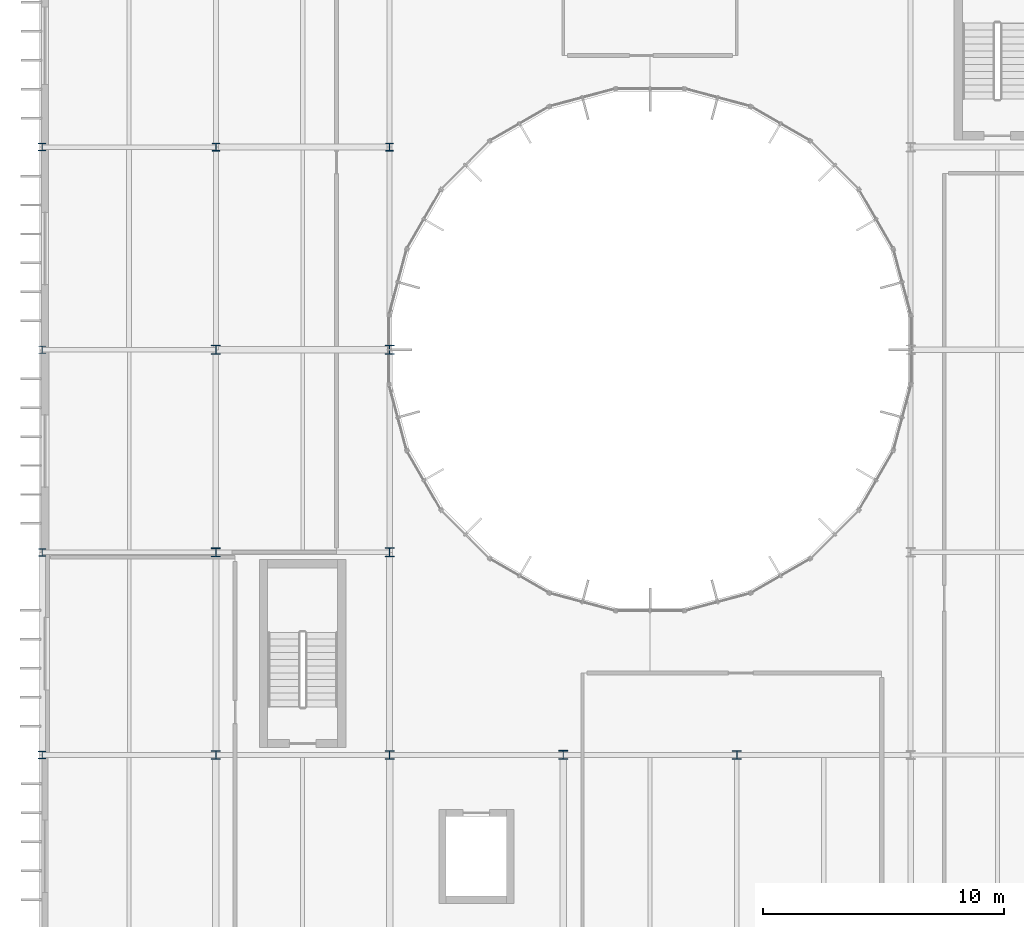
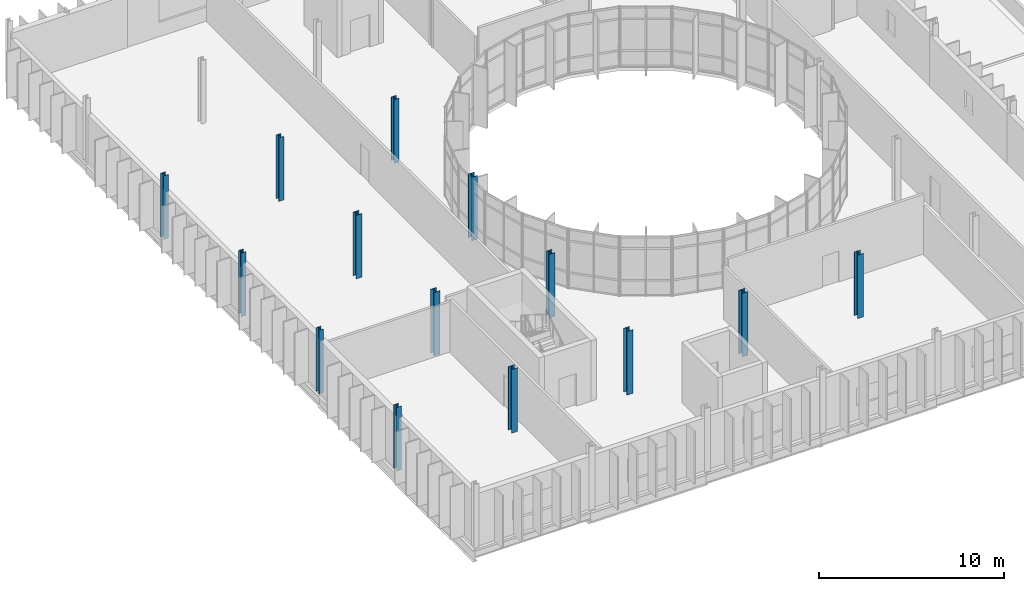
# One storey, part 6 of 99: 14 columns.
"""IFC4 building model written with IfcOpenShell, lengths in metres."""

import ifcopenshell
import ifcopenshell.guid

model = None  # the IFC model being written
_history = None  # IfcOwnerHistory: only IFC2X3 demands one
_inside = {}  # id of a spatial element -> (the spatial element, [elements in it])
_under = {}  # id of a project, library or spatial element -> (it, [spatial elements below it])
_declared = {}  # id of a project -> (the project, [libraries it declares])
_typed = {}  # id of a type object -> (the type object, [elements of that type])
_made_of = {}  # id of a material, layer set ... -> (it, [elements and type objects made of it])


def new_model(schema):
    """Start an empty IFC model of exactly this schema.

    Asked for "IFC4X3", IfcOpenShell would pick the latest addendum, in which some entities
    have other attributes; the version numbers below select the first issue.
    IFC2X3 requires an IfcOwnerHistory on every rooted entity: one is made here for all.
    """
    global model, _history
    if schema == "IFC4X3":
        model = ifcopenshell.file(schema_version=(4, 3, 0, 0))
    else:
        model = ifcopenshell.file(schema=schema)
    _inside.clear()
    _under.clear()
    _declared.clear()
    _typed.clear()
    _made_of.clear()
    _history = None
    if model.schema == "IFC2X3":
        org = make("IfcOrganization", Name="unknown")
        user = make(
            "IfcPersonAndOrganization",
            ThePerson=make("IfcPerson", FamilyName="unknown"),
            TheOrganization=org,
        )
        app = make(
            "IfcApplication",
            ApplicationDeveloper=org,
            Version="unknown",
            ApplicationFullName="unknown",
            ApplicationIdentifier="unknown",
        )
        _history = make(
            "IfcOwnerHistory",
            OwningUser=user,
            OwningApplication=app,
            ChangeAction="ADDED",
            CreationDate=0,
        )
    return model


def make(cls, **values):
    """One entity of the class cls with the attributes given. An attribute that is None is left unset."""
    return model.create_entity(
        cls, **{name: value for name, value in values.items() if value is not None}
    )


def rooted(cls, **values):
    """An entity with a GlobalId (a new one), such as an element, a storey or a relation."""
    return make(cls, GlobalId=ifcopenshell.guid.new(), OwnerHistory=_history, **values)


def si_unit(unit_type, name, prefix=None):
    """IfcSIUnit, for example si_unit("LENGTHUNIT", "METRE", prefix="MILLI")."""
    return make("IfcSIUnit", UnitType=unit_type, Prefix=prefix, Name=name)


def assignment(units):
    """IfcUnitAssignment: the units of a project."""
    return None if units is None else make("IfcUnitAssignment", Units=units)


def point(xyz):
    """IfcCartesianPoint."""
    return None if xyz is None else make("IfcCartesianPoint", Coordinates=xyz)


def direction(xyz):
    """IfcDirection."""
    return None if xyz is None else make("IfcDirection", DirectionRatios=xyz)


def frame(location, z_axis=None, x_axis=None):
    """IfcAxis2Placement3D, a coordinate frame: its origin and axes. An axis left out is left unset."""
    return make(
        "IfcAxis2Placement3D",
        Location=point(location),
        Axis=direction(z_axis),
        RefDirection=direction(x_axis),
    )


def frame_2d(location, x_axis=None):
    """IfcAxis2Placement2D, a coordinate frame in the plane: its origin and x axis."""
    return make(
        "IfcAxis2Placement2D", Location=point(location), RefDirection=direction(x_axis)
    )


def origin():
    """The frame at (0, 0, 0) with its axes left unset."""
    return frame((0.0, 0.0, 0.0))


def origin_2d():
    """The frame at (0, 0) in the plane with its x axis left unset."""
    return frame_2d((0.0, 0.0))


def place(relative_to, where):
    """IfcLocalPlacement: puts the frame where relative to a parent placement (None: the world)."""
    return make(
        "IfcLocalPlacement", PlacementRelTo=relative_to, RelativePlacement=where
    )


def context(
    kind, dimensions, precision=None, world=None, true_north=None, identifier=None
):
    """IfcGeometricRepresentationContext, for example the 3D "Model" context."""
    return make(
        "IfcGeometricRepresentationContext",
        ContextIdentifier=identifier,
        ContextType=kind,
        CoordinateSpaceDimension=dimensions,
        Precision=precision,
        WorldCoordinateSystem=world,
        TrueNorth=true_north,
    )


def subcontext(parent, identifier, kind, view, scale=None):
    """IfcGeometricRepresentationSubContext, for example "Body" below "Model"."""
    return make(
        "IfcGeometricRepresentationSubContext",
        ContextIdentifier=identifier,
        ContextType=kind,
        ParentContext=parent,
        TargetScale=scale,
        TargetView=view,
    )


def project(units=None, contexts=None):
    """IfcProject with its units and contexts."""
    return rooted(
        "IfcProject",
        Name="project",
        RepresentationContexts=contexts,
        UnitsInContext=assignment(units),
    )


def spatial(cls, under=None, at=None, **own):
    """A site, building, storey or space (cls), placed at a placement, below another one or the project."""
    s = rooted(cls, ObjectPlacement=at, **own)
    if under is not None:
        _under.setdefault(under.id(), (under, []))[1].append(s)
    return s


def profile(cls, at=None, kind="AREA", **sizes):
    """A parametric profile (cls). Its sizes go by their IFC names, for example OverallWidth=200.0."""
    return make(cls, ProfileType=kind, Position=at, **sizes)


def i_section(**sizes):
    """IfcIShapeProfileDef."""
    return profile("IfcIShapeProfileDef", **sizes)


def extrude(swept, where, along, depth):
    """IfcExtrudedAreaSolid: the profile swept, set in the frame where, extruded along a direction by depth."""
    return make(
        "IfcExtrudedAreaSolid",
        SweptArea=swept,
        Position=where,
        ExtrudedDirection=direction(along),
        Depth=depth,
    )


def shape(context_of_items, identifier, shape_type, items):
    """IfcShapeRepresentation: the items that make up one representation, for example the "Body"."""
    return make(
        "IfcShapeRepresentation",
        ContextOfItems=context_of_items,
        RepresentationIdentifier=identifier,
        RepresentationType=shape_type,
        Items=items,
    )


def material(Name=None, Category=None):
    """IfcMaterial."""
    return make("IfcMaterial", Name=Name, Category=Category)


def material_profile(
    of_material, cross_section, Name=None, Category=None, Priority=None
):
    """IfcMaterialProfile: a cross section and its material."""
    return make(
        "IfcMaterialProfile",
        Name=Name,
        Material=of_material,
        Profile=cross_section,
        Priority=Priority,
        Category=Category,
    )


def profile_set(profiles, Name=None, composite=None):
    """IfcMaterialProfileSet."""
    return make(
        "IfcMaterialProfileSet",
        Name=Name,
        MaterialProfiles=profiles,
        CompositeProfile=composite,
    )


def made_of(thing, what):
    """Note that an element or type object is made of a material, layer set ...; save() writes the relation."""
    if what is not None:
        _made_of.setdefault(what.id(), (what, []))[1].append(thing)
    return thing


def type_object(cls, material=None, **own):
    """A type object (cls), such as IfcWallType, which elements share."""
    return made_of(rooted(cls, **own), material)


def element(
    cls,
    number,
    at=None,
    inside=None,
    cuts=None,
    type_object=None,
    material=None,
    context=None,
    identifier="Body",
    shape_type=None,
    held_by="IfcProductDefinitionShape",
    body=None,
    shapes=None,
    **own,
):
    """One element of the class cls, such as IfcWall. Its Tag is "e" and its number.

    at: its placement. inside: the storey or other place that contains it. cuts: it is an
    opening in that element (IfcRelVoidsElement). A single representation is given by context,
    identifier, shape_type and body (its items); several are given by shapes. held_by: the class
    of the entity that holds the representations. save() writes the other relations.
    """
    e = rooted(cls, Tag="e%d" % number, ObjectPlacement=at, **own)
    if body is not None:
        shapes = [shape(context, identifier, shape_type, body)]
    if shapes is not None:
        e.Representation = make(held_by, Representations=shapes)
    if inside is not None:
        _inside.setdefault(inside.id(), (inside, []))[1].append(e)
    if cuts is not None:
        rooted(
            "IfcRelVoidsElement", RelatingBuildingElement=cuts, RelatedOpeningElement=e
        )
    if type_object is not None:
        _typed.setdefault(type_object.id(), (type_object, []))[1].append(e)
    return made_of(e, material)


def aggregate(whole, parts):
    """IfcRelAggregates: a whole, such as a stair, and the parts it consists of."""
    return rooted("IfcRelAggregates", RelatingObject=whole, RelatedObjects=parts)


def save(model, path):
    """Write the relations noted so far, then the file.

    IfcRelAggregates (storeys below a building ...), IfcRelContainedInSpatialStructure (elements
    in a storey), IfcRelDefinesByType, IfcRelAssociatesMaterial and IfcRelDeclares: one each for
    every whole, place, type object, material and project.
    """
    for whole, parts in _under.values():
        aggregate(whole, parts)
    for where, things in _inside.values():
        rooted(
            "IfcRelContainedInSpatialStructure",
            RelatedElements=things,
            RelatingStructure=where,
        )
    for kind, things in _typed.values():
        rooted("IfcRelDefinesByType", RelatedObjects=things, RelatingType=kind)
    for what, things in _made_of.values():
        rooted("IfcRelAssociatesMaterial", RelatedObjects=things, RelatingMaterial=what)
    for by, libraries in _declared.values():
        rooted("IfcRelDeclares", RelatingContext=by, RelatedDefinitions=libraries)
    model.write(path)


model = new_model("IFC4")

# Units and contexts
model_context = context("Model", 3, precision=1e-05, world=origin(), true_north=direction((0.0, 1.0)))
body_context = subcontext(model_context, "Body", "Model", "MODEL_VIEW")
ifc_project = project(units=[si_unit("LENGTHUNIT", "METRE"), si_unit("AREAUNIT", "SQUARE_METRE"), si_unit("VOLUMEUNIT", "CUBIC_METRE"), si_unit("PLANEANGLEUNIT", "RADIAN"), si_unit("MASSUNIT", "GRAM", prefix="KILO")], contexts=[model_context])

# Site, building, storey
site_placement = place(None, origin())
site = spatial("IfcSite", under=ifc_project, at=site_placement, CompositionType="ELEMENT")
building_placement = place(site_placement, origin())
building = spatial("IfcBuilding", under=site, at=building_placement, Name="Qelthora Terrace Specialist Clinic", CompositionType="ELEMENT")
storey_placement = place(building_placement, frame((0.0, 0.0, 9.0)))
storey = spatial("IfcBuildingStorey", under=building, at=storey_placement, Name="L02", CompositionType="ELEMENT", Elevation=9.0)

# Columns
ifc_material = material(Name="Steel S355", Category="steel")
ifc_material_profile_1 = material_profile(ifc_material, i_section(OverallWidth=0.305908203125, OverallDepth=0.31103515625, WebThickness=0.010986328125, FlangeThickness=0.01708984375, FilletRadius=0.014892578125, at=origin_2d()), Name="W310X107")
ifc_profile_set_1 = profile_set([ifc_material_profile_1], Name="Steel S355")
column_type_1 = type_object("IfcColumnType", Name="COL-W310X107", PredefinedType="COLUMN", material=ifc_profile_set_1)
column_1_placement = place(storey_placement, frame((0.0, 75.60009765625, 0.0), z_axis=(0.0, 0.0, 1.0), x_axis=(1.0, 0.0, 0.0)))
element("IfcColumn", 1, at=column_1_placement, inside=storey, type_object=column_type_1, Name="Column L02-010", PredefinedType="COLUMN", context=body_context, shape_type="SweptSolid", body=[
    extrude(i_section(OverallWidth=0.305908203125, OverallDepth=0.31103515625, WebThickness=0.010986328125, FlangeThickness=0.01708984375, FilletRadius=0.014892578125, at=origin_2d()), origin(), (0.0, 0.0, 1.0), 4.199951171875),
])
ifc_material_profile_2 = material_profile(ifc_material, i_section(OverallWidth=0.306884765625, OverallDepth=0.31396484375, WebThickness=0.011962890625, FlangeThickness=0.018798828125, FilletRadius=0.01611328125, at=origin_2d()), Name="W310X118")
ifc_profile_set_2 = profile_set([ifc_material_profile_2], Name="Steel S355")
column_type_2 = type_object("IfcColumnType", Name="COL-W310X118", PredefinedType="COLUMN", material=ifc_profile_set_2)
for number, where, z_axis, x_axis, name in (
    (2, (0.0, 67.199951171875, 0.0), (0.0, 0.0, 1.0), (1.0, 0.0, 0.0), "Column L02-009"),
    (3, (0.0, 92.39990234375, 0.0), (0.0, 0.0, 1.0), (1.0, 0.0, 0.0), "Column L02-012"),
):
    element("IfcColumn", number, at=place(storey_placement, frame(where, z_axis=z_axis, x_axis=x_axis)), inside=storey, type_object=column_type_2, Name=name, PredefinedType="COLUMN", context=body_context, shape_type="SweptSolid", body=[
        extrude(i_section(OverallWidth=0.306884765625, OverallDepth=0.31396484375, WebThickness=0.011962890625, FlangeThickness=0.018798828125, FilletRadius=0.01611328125, at=origin_2d()), origin(), (0.0, 0.0, 1.0), 4.199951171875),
    ])
ifc_material_profile_3 = material_profile(ifc_material, i_section(OverallWidth=0.30908203125, OverallDepth=0.322998046875, WebThickness=0.013916015625, FlangeThickness=0.02294921875, FilletRadius=0.01611328125, at=origin_2d()), Name="W310X143")
ifc_profile_set_3 = profile_set([ifc_material_profile_3], Name="Steel S355")
column_type_3 = type_object("IfcColumnType", Name="COL-W310X143", PredefinedType="COLUMN", material=ifc_profile_set_3)
for number, where, z_axis, x_axis, name in (
    (4, (7.199951171875, 92.39990234375, 0.0), (0.0, 0.0, 1.0), (1.0, 0.0, 0.0), "Column L02-026"),
    (5, (14.39990234375, 92.39990234375, 0.0), (0.0, 0.0, 1.0), (1.0, 0.0, 0.0), "Column L02-040"),
):
    element("IfcColumn", number, at=place(storey_placement, frame(where, z_axis=z_axis, x_axis=x_axis)), inside=storey, type_object=column_type_3, Name=name, PredefinedType="COLUMN", context=body_context, shape_type="SweptSolid", body=[
        extrude(i_section(OverallWidth=0.30908203125, OverallDepth=0.322998046875, WebThickness=0.013916015625, FlangeThickness=0.02294921875, FilletRadius=0.01611328125, at=origin_2d()), origin(), (0.0, 0.0, 1.0), 4.199951171875),
    ])
ifc_material_profile_4 = material_profile(ifc_material, i_section(OverallWidth=0.304931640625, OverallDepth=0.30810546875, WebThickness=0.010009765625, FlangeThickness=0.015380859375, FilletRadius=0.014892578125, at=origin_2d()), Name="W310X97")
ifc_profile_set_4 = profile_set([ifc_material_profile_4], Name="Steel S355")
column_type_4 = type_object("IfcColumnType", Name="COL-W310X97", PredefinedType="COLUMN", material=ifc_profile_set_4)
column_2_placement = place(storey_placement, frame((0.0, 84.0, 0.0), z_axis=(0.0, 0.0, 1.0), x_axis=(1.0, 0.0, 0.0)))
element("IfcColumn", 6, at=column_2_placement, inside=storey, type_object=column_type_4, Name="Column L02-011", PredefinedType="COLUMN", context=body_context, shape_type="SweptSolid", body=[
    extrude(i_section(OverallWidth=0.304931640625, OverallDepth=0.30810546875, WebThickness=0.010009765625, FlangeThickness=0.015380859375, FilletRadius=0.014892578125, at=origin_2d()), origin(), (0.0, 0.0, 1.0), 4.199951171875),
])
ifc_material_profile_5 = material_profile(ifc_material, i_section(OverallWidth=0.37109375, OverallDepth=0.364013671875, WebThickness=0.01318359375, FlangeThickness=0.021728515625, FilletRadius=0.02001953125, at=origin_2d()), Name="W360X162")
ifc_profile_set_5 = profile_set([ifc_material_profile_5], Name="Steel S355")
column_type_5 = type_object("IfcColumnType", Name="COL-W360X162", PredefinedType="COLUMN", material=ifc_profile_set_5)
for number, where, z_axis, x_axis, name in (
    (7, (7.199951171875, 67.199951171875, 0.0), (0.0, 0.0, 1.0), (1.0, 0.0, 0.0), "Column L02-023"),
    (8, (14.39990234375, 75.60009765625, 0.0), (0.0, 0.0, 1.0), (1.0, 0.0, 0.0), "Column L02-038"),
    (9, (28.800048828125, 67.199951171875, 0.0), (0.0, 0.0, 1.0), (1.0, 0.0, 0.0), "Column L02-062"),
):
    element("IfcColumn", number, at=place(storey_placement, frame(where, z_axis=z_axis, x_axis=x_axis)), inside=storey, type_object=column_type_5, Name=name, PredefinedType="COLUMN", context=body_context, shape_type="SweptSolid", body=[
        extrude(i_section(OverallWidth=0.37109375, OverallDepth=0.364013671875, WebThickness=0.01318359375, FlangeThickness=0.021728515625, FilletRadius=0.02001953125, at=origin_2d()), origin(), (0.0, 0.0, 1.0), 4.199951171875),
    ])
ifc_material_profile_6 = material_profile(ifc_material, i_section(OverallWidth=0.373046875, OverallDepth=0.367919921875, WebThickness=0.014892578125, FlangeThickness=0.02392578125, FilletRadius=0.02001953125, at=origin_2d()), Name="W360X179")
ifc_profile_set_6 = profile_set([ifc_material_profile_6], Name="Steel S355")
column_type_6 = type_object("IfcColumnType", Name="COL-W360X179", PredefinedType="COLUMN", material=ifc_profile_set_6)
for number, where, z_axis, x_axis, name in (
    (10, (7.199951171875, 84.0, 0.0), (0.0, 0.0, 1.0), (1.0, 0.0, 0.0), "Column L02-025"),
    (11, (14.39990234375, 67.199951171875, 0.0), (0.0, 0.0, 1.0), (1.0, 0.0, 0.0), "Column L02-037"),
):
    element("IfcColumn", number, at=place(storey_placement, frame(where, z_axis=z_axis, x_axis=x_axis)), inside=storey, type_object=column_type_6, Name=name, PredefinedType="COLUMN", context=body_context, shape_type="SweptSolid", body=[
        extrude(i_section(OverallWidth=0.373046875, OverallDepth=0.367919921875, WebThickness=0.014892578125, FlangeThickness=0.02392578125, FilletRadius=0.02001953125, at=origin_2d()), origin(), (0.0, 0.0, 1.0), 4.199951171875),
    ])
ifc_material_profile_7 = material_profile(ifc_material, i_section(OverallWidth=0.3740234375, OverallDepth=0.3720703125, WebThickness=0.016357421875, FlangeThickness=0.026123046875, FilletRadius=0.02001953125, at=origin_2d()), Name="W360X196")
ifc_profile_set_7 = profile_set([ifc_material_profile_7], Name="Steel S355")
column_type_7 = type_object("IfcColumnType", Name="COL-W360X196", PredefinedType="COLUMN", material=ifc_profile_set_7)
for number, where, z_axis, x_axis, name in (
    (12, (7.199951171875, 75.60009765625, 0.0), (0.0, 0.0, 1.0), (1.0, 0.0, 0.0), "Column L02-024"),
    (13, (14.39990234375, 84.0, 0.0), (0.0, 0.0, 1.0), (1.0, 0.0, 0.0), "Column L02-039"),
    (14, (21.60009765625, 67.199951171875, 0.0), (0.0, 0.0, 1.0), (1.0, 0.0, 0.0), "Column L02-051"),
):
    element("IfcColumn", number, at=place(storey_placement, frame(where, z_axis=z_axis, x_axis=x_axis)), inside=storey, type_object=column_type_7, Name=name, PredefinedType="COLUMN", context=body_context, shape_type="SweptSolid", body=[
        extrude(i_section(OverallWidth=0.3740234375, OverallDepth=0.3720703125, WebThickness=0.016357421875, FlangeThickness=0.026123046875, FilletRadius=0.02001953125, at=origin_2d()), origin(), (0.0, 0.0, 1.0), 4.199951171875),
    ])

save(model, "model.ifc")
